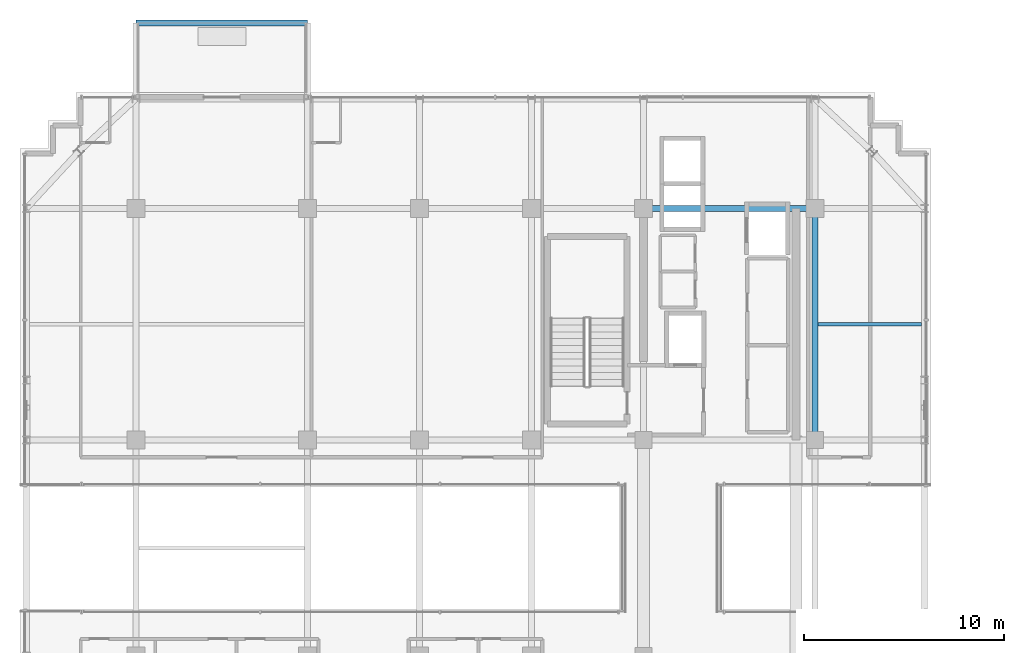
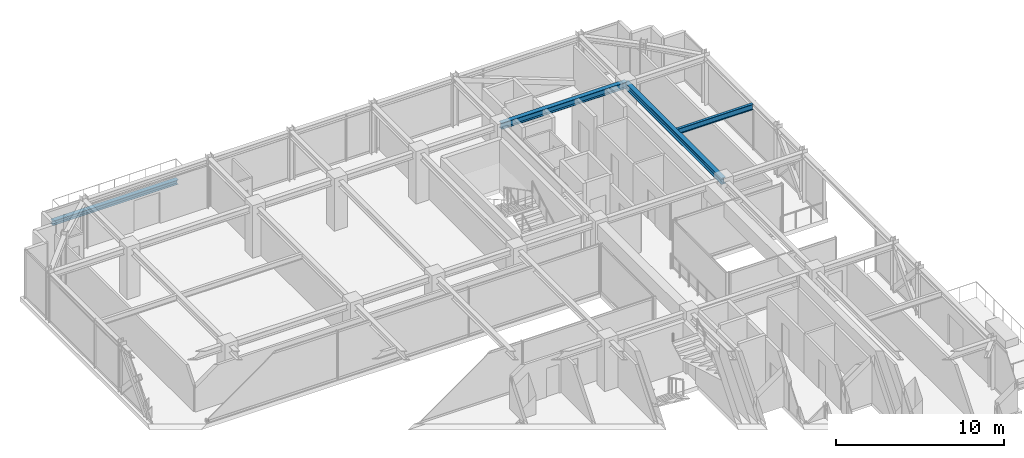
# One storey, part 28 of 39: 4 beams.
"""IFC4 building model written with IfcOpenShell, lengths in metres."""

from ifc_helpers import new_model, si_unit, direction, frame, origin, origin_2d, place, context, subcontext, project, spatial, i_section, extrude, source, transform, mapped, material, material_profile, profile_set, type_object, element, save


model = new_model("IFC4")

# Units and contexts
model_context = context("Model", 3, precision=1e-05, world=origin(), true_north=direction((0.0, 1.0)))
body_context = subcontext(model_context, "Body", "Model", "MODEL_VIEW")
ifc_project = project(units=[si_unit("LENGTHUNIT", "METRE"), si_unit("AREAUNIT", "SQUARE_METRE"), si_unit("VOLUMEUNIT", "CUBIC_METRE"), si_unit("PLANEANGLEUNIT", "RADIAN"), si_unit("MASSUNIT", "GRAM", prefix="KILO")], contexts=[model_context])

# Site, building, storey
site_placement = place(None, origin())
site = spatial("IfcSite", under=ifc_project, at=site_placement, CompositionType="ELEMENT")
building_placement = place(site_placement, origin())
building = spatial("IfcBuilding", under=site, at=building_placement, Name="Nahalor Promenade Grand Hotel", CompositionType="ELEMENT")
storey_placement = place(building_placement, frame((0.0, 0.0, 311.89990234375)))
storey = spatial("IfcBuildingStorey", under=building, at=storey_placement, Name="L80", CompositionType="ELEMENT", Elevation=311.89990234375)

# Beams
ifc_material = material(Name="Steel S355JR", Category="steel")
ifc_material_profile_1 = material_profile(ifc_material, i_section(OverallWidth=0.3, OverallDepth=0.32, WebThickness=0.0115, FlangeThickness=0.0205, at=origin_2d()), Name="HEB 320")
ifc_profile_set_1 = profile_set([ifc_material_profile_1], Name="Steel S355JR")
beam_type_1 = type_object("IfcBeamType", Name="Beam-BalcEdge-HEB320", PredefinedType="SPANDREL", material=ifc_profile_set_1)
shared_shape_1 = source(origin(), body_context, "Body", "SweptSolid", [
    extrude(i_section(OverallWidth=0.3, OverallDepth=0.32, WebThickness=0.0115, FlangeThickness=0.0205, at=origin_2d()), origin(), (0.0, 0.0, 1.0), 8.60009765625),
])
beam_1_placement = place(storey_placement, frame((-17.0, 26.280029296875, -0.43994140625), z_axis=(1.0, 0.0, 0.0), x_axis=(0.0, 1.0, 0.0)))
element("IfcBeam", 1, at=beam_1_placement, inside=storey, type_object=beam_type_1, Name="BM-L80-BC-01-F", PredefinedType="SPANDREL", context=body_context, shape_type="MappedRepresentation", body=[
    mapped(shared_shape_1, transform((0.0, 0.0, 0.0), scale=1.0)),
])
ifc_material_profile_2 = material_profile(ifc_material, i_section(OverallWidth=0.3, OverallDepth=0.45, WebThickness=0.014, FlangeThickness=0.026, at=origin_2d()), Name="HEB 450")
ifc_profile_set_2 = profile_set([ifc_material_profile_2], Name="Steel S355JR")
beam_type_2 = type_object("IfcBeamType", Name="Beam-Girder-HEB450", PredefinedType="BEAM", material=ifc_profile_set_2)
shared_shape_2 = source(origin(), body_context, "Body", "SweptSolid", [
    extrude(i_section(OverallWidth=0.3, OverallDepth=0.45, WebThickness=0.014, FlangeThickness=0.026, at=origin_2d()), origin(), (0.0, 0.0, 1.0), 8.60009765625),
])
beam_2_placement = place(storey_placement, frame((8.39990234375, 17.0, 3.3251953125), z_axis=(1.0, 0.0, 0.0), x_axis=(0.0, 1.0, 0.0)))
element("IfcBeam", 2, at=beam_2_placement, inside=storey, type_object=beam_type_2, Name="BM-L80-GX-3-5", PredefinedType="BEAM", context=body_context, shape_type="MappedRepresentation", body=[
    mapped(shared_shape_2, transform((0.0, 0.0, 0.0), scale=1.0)),
])
shared_shape_3 = source(origin(), body_context, "Body", "SweptSolid", [
    extrude(i_section(OverallWidth=0.3, OverallDepth=0.45, WebThickness=0.014, FlangeThickness=0.026, at=origin_2d()), origin(), (0.0, 0.0, 1.0), 11.60009765625),
])
beam_3_placement = place(storey_placement, frame((17.0, 5.39990234375, 3.3251953125), z_axis=(0.0, 1.0, 0.0), x_axis=(-1.0, 0.0, 0.0)))
element("IfcBeam", 3, at=beam_3_placement, inside=storey, type_object=beam_type_2, Name="BM-L80-GY-5-3", PredefinedType="BEAM", context=body_context, shape_type="MappedRepresentation", body=[
    mapped(shared_shape_3, transform((0.0, 0.0, 0.0), scale=1.0)),
])
ifc_material_profile_3 = material_profile(ifc_material, i_section(OverallWidth=0.18, OverallDepth=0.4, WebThickness=0.0086, FlangeThickness=0.0135, at=origin_2d()), Name="IPE 400")
ifc_profile_set_3 = profile_set([ifc_material_profile_3], Name="Steel S355JR")
beam_type_3 = type_object("IfcBeamType", Name="Beam-Joist-IPE400", PredefinedType="JOIST", material=ifc_profile_set_3)
shared_shape_4 = source(origin(), body_context, "Body", "SweptSolid", [
    extrude(i_section(OverallWidth=0.18, OverallDepth=0.4, WebThickness=0.0086, FlangeThickness=0.0135, at=origin_2d()), origin(), (0.0, 0.0, 1.0), 5.18017578125),
])
beam_4_placement = place(storey_placement, frame((17.14990234375, 11.199951171875, 3.35009765625), z_axis=(1.0, 0.0, 0.0), x_axis=(0.0, 1.0, 0.0)))
element("IfcBeam", 4, at=beam_4_placement, inside=storey, type_object=beam_type_3, Name="BM-L80-JSE-1-2", PredefinedType="JOIST", context=body_context, shape_type="MappedRepresentation", body=[
    mapped(shared_shape_4, transform((0.0, 0.0, 0.0), scale=1.0)),
])

save(model, "model.ifc")
